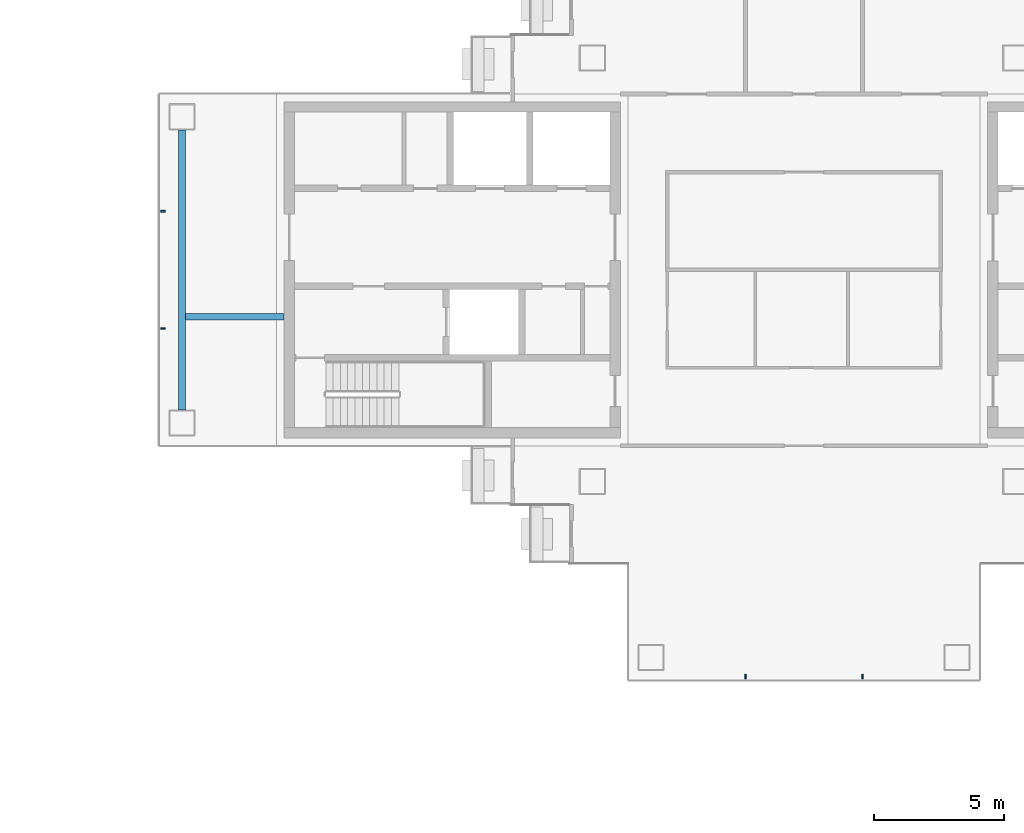
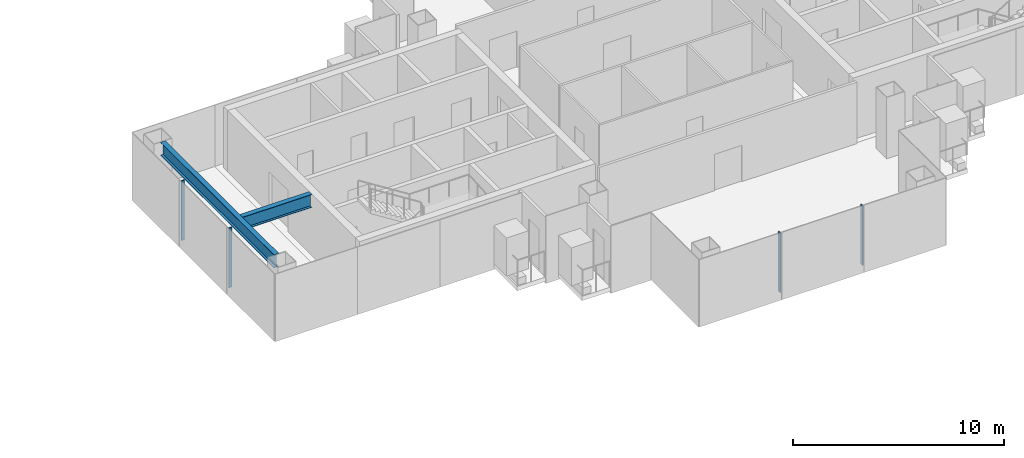
# One storey, part 5 of 16: 4 members, 2 beams, 2 elements without a shape of their own.
"""IFC4 building model written with IfcOpenShell, lengths in metres."""

from ifc_helpers import new_model, si_unit, direction, frame, origin, origin_2d, place, context, subcontext, project, spatial, rectangle, i_section, extrude, material, layer, layer_set, material_profile, profile_set, type_object, element, aggregate, save


model = new_model("IFC4")

# Units and contexts
model_context = context("Model", 3, precision=1e-05, world=origin(), true_north=direction((0.0, 1.0)))
body_context = subcontext(model_context, "Body", "Model", "MODEL_VIEW")
ifc_project = project(units=[si_unit("LENGTHUNIT", "METRE"), si_unit("AREAUNIT", "SQUARE_METRE"), si_unit("VOLUMEUNIT", "CUBIC_METRE"), si_unit("PLANEANGLEUNIT", "RADIAN"), si_unit("MASSUNIT", "GRAM", prefix="KILO")], contexts=[model_context])

# Site, building, storey
site_placement = place(None, origin())
site = spatial("IfcSite", under=ifc_project, at=site_placement, CompositionType="ELEMENT")
building_placement = place(site_placement, origin())
building = spatial("IfcBuilding", under=site, at=building_placement, Name="Shamsa Quay Exchange Towers", CompositionType="ELEMENT")
storey_placement = place(building_placement, frame((0.0, 0.0, 186.60009765625)))
storey = spatial("IfcBuildingStorey", under=building, at=storey_placement, Name="L44", CompositionType="ELEMENT", Elevation=186.60009765625)

# Curtain wall, members
ifc_material_1 = material(Name="Aluminium EN AW-6063 T6, black anodised", Category="aluminium")
ifc_layer = layer(ifc_material_1, 0.280029296875)
ifc_layer_set = layer_set([ifc_layer], Name="CW-1 UNITISED VISION GLASS")
curtain_wall_type = type_object("IfcCurtainWallType", Name="CW-1 UNITISED VISION GLASS", PredefinedType="NOTDEFINED", material=ifc_layer_set)
curtain_wall_1_placement = place(storey_placement, origin())
curtain_wall_1 = element("IfcCurtainWall", 1, at=curtain_wall_1_placement, inside=storey, type_object=curtain_wall_type, Name="CW1 T2-END-V+ L44", PredefinedType="NOTDEFINED")
ifc_material_profile_1 = material_profile(ifc_material_1, rectangle(XDim=0.179931640625, YDim=0.06005859375, at=origin_2d()), Name="MU60x180")
ifc_profile_set_1 = profile_set([ifc_material_profile_1], Name="Aluminium EN AW-6063 T6, black anodised")
member_type = type_object("IfcMemberType", Name="CW1 MULLION 60x180", PredefinedType="MULLION", material=ifc_profile_set_1)
member_1_placement = place(storey_placement, frame((9.14990234375, 2.25, 0.0)))
member_1 = element("IfcMember", 2, at=member_1_placement, type_object=member_type, Name="CW1 mullion", PredefinedType="MULLION", context=body_context, shape_type="SweptSolid", body=[
    extrude(rectangle(XDim=0.179931640625, YDim=0.06005859375, at=origin_2d()), origin(), (0.0, 0.0, 1.0), 3.449951171875),
])
member_2_placement = place(storey_placement, frame((9.14990234375, -2.25, 0.0)))
member_2 = element("IfcMember", 3, at=member_2_placement, type_object=member_type, Name="CW1 mullion", PredefinedType="MULLION", context=body_context, shape_type="SweptSolid", body=[
    extrude(rectangle(XDim=0.179931640625, YDim=0.06005859375, at=origin_2d()), origin(), (0.0, 0.0, 1.0), 3.449951171875),
])
aggregate(curtain_wall_1, [member_1, member_2])

curtain_wall_2_placement = place(storey_placement, origin())
curtain_wall_2 = element("IfcCurtainWall", 4, at=curtain_wall_2_placement, inside=storey, type_object=curtain_wall_type, Name="CW1 T2-END-U- L44", PredefinedType="NOTDEFINED")
member_3_placement = place(storey_placement, frame((31.5, -15.60009765625, 0.0), z_axis=(0.0, 0.0, 1.0), x_axis=(0.0, 1.0, 0.0)))
member_3 = element("IfcMember", 5, at=member_3_placement, type_object=member_type, Name="CW1 mullion", PredefinedType="MULLION", context=body_context, shape_type="SweptSolid", body=[
    extrude(rectangle(XDim=0.179931640625, YDim=0.06005859375, at=origin_2d()), origin(), (0.0, 0.0, 1.0), 3.449951171875),
])
member_4_placement = place(storey_placement, frame((36.0, -15.60009765625, 0.0), z_axis=(0.0, 0.0, 1.0), x_axis=(0.0, 1.0, 0.0)))
member_4 = element("IfcMember", 6, at=member_4_placement, type_object=member_type, Name="CW1 mullion", PredefinedType="MULLION", context=body_context, shape_type="SweptSolid", body=[
    extrude(rectangle(XDim=0.179931640625, YDim=0.06005859375, at=origin_2d()), origin(), (0.0, 0.0, 1.0), 3.449951171875),
])
aggregate(curtain_wall_2, [member_3, member_4])

# Beams
ifc_material_2 = material(Name="Steel S355", Category="steel")
ifc_material_profile_2 = material_profile(ifc_material_2, i_section(OverallWidth=0.26611328125, OverallDepth=0.7578125, WebThickness=0.013916015625, FlangeThickness=0.019287109375, at=origin_2d()), Name="W30x108")
ifc_profile_set_2 = profile_set([ifc_material_profile_2], Name="Steel S355")
beam_type = type_object("IfcBeamType", Name="End-zone beam W30x108", PredefinedType="BEAM", material=ifc_profile_set_2)
beam_1_placement = place(storey_placement, frame((9.875, -5.375, 3.171142578125), z_axis=(0.0, 1.0, 0.0), x_axis=(-1.0, 0.0, 0.0)))
element("IfcBeam", 7, at=beam_1_placement, inside=storey, type_object=beam_type, Name="End beam T2 V+ end zone L44", PredefinedType="BEAM", context=body_context, shape_type="SweptSolid", body=[
    extrude(i_section(OverallWidth=0.26611328125, OverallDepth=0.7578125, WebThickness=0.013916015625, FlangeThickness=0.019287109375, at=origin_2d()), origin(), (0.0, 0.0, 1.0), 10.75),
])
beam_2_placement = place(storey_placement, frame((13.800048828125, -1.800048828125, 3.171142578125), z_axis=(-1.0, 0.0, 0.0), x_axis=(0.0, -1.0, 0.0)))
element("IfcBeam", 8, at=beam_2_placement, inside=storey, type_object=beam_type, Name="Spine beam T2 V+ end zone L44", PredefinedType="BEAM", context=body_context, shape_type="SweptSolid", body=[
    extrude(i_section(OverallWidth=0.26611328125, OverallDepth=0.7578125, WebThickness=0.013916015625, FlangeThickness=0.019287109375, at=origin_2d()), origin(), (0.0, 0.0, 1.0), 3.7919921875),
])

save(model, "model.ifc")
